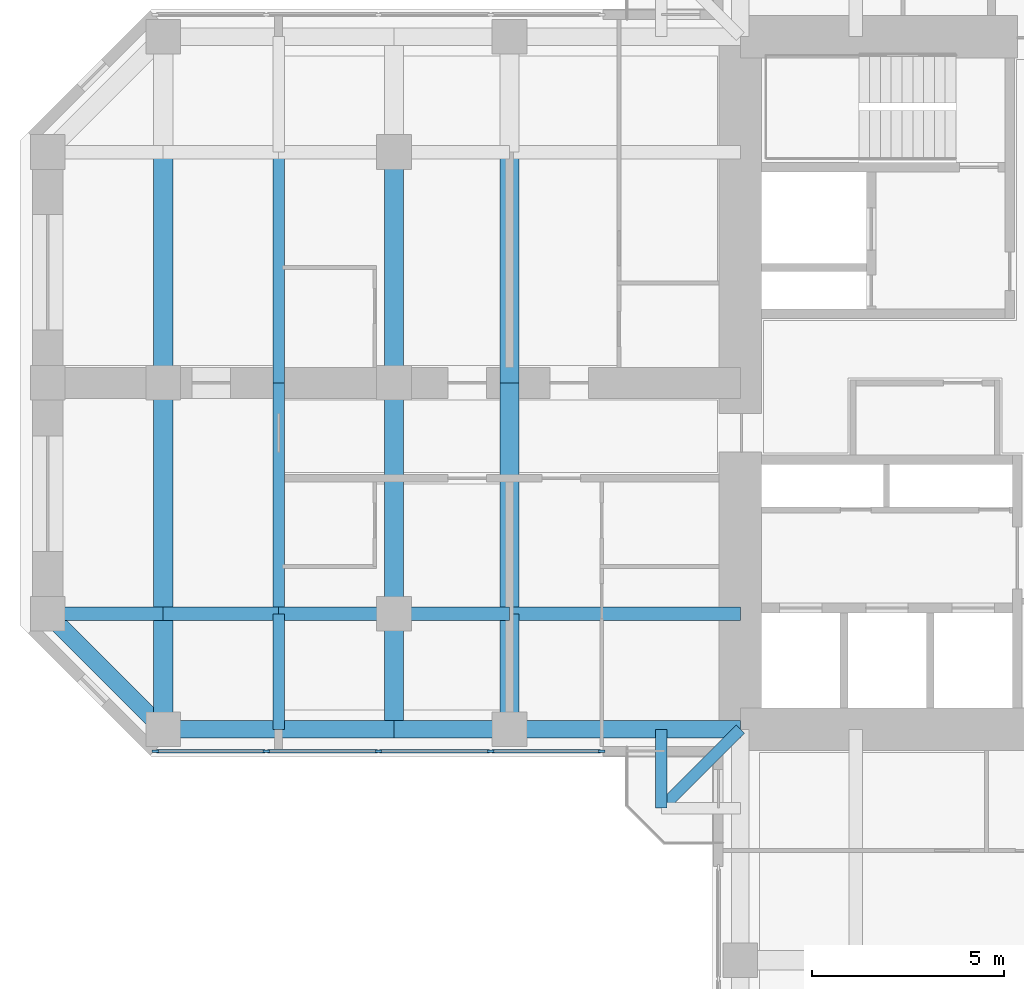
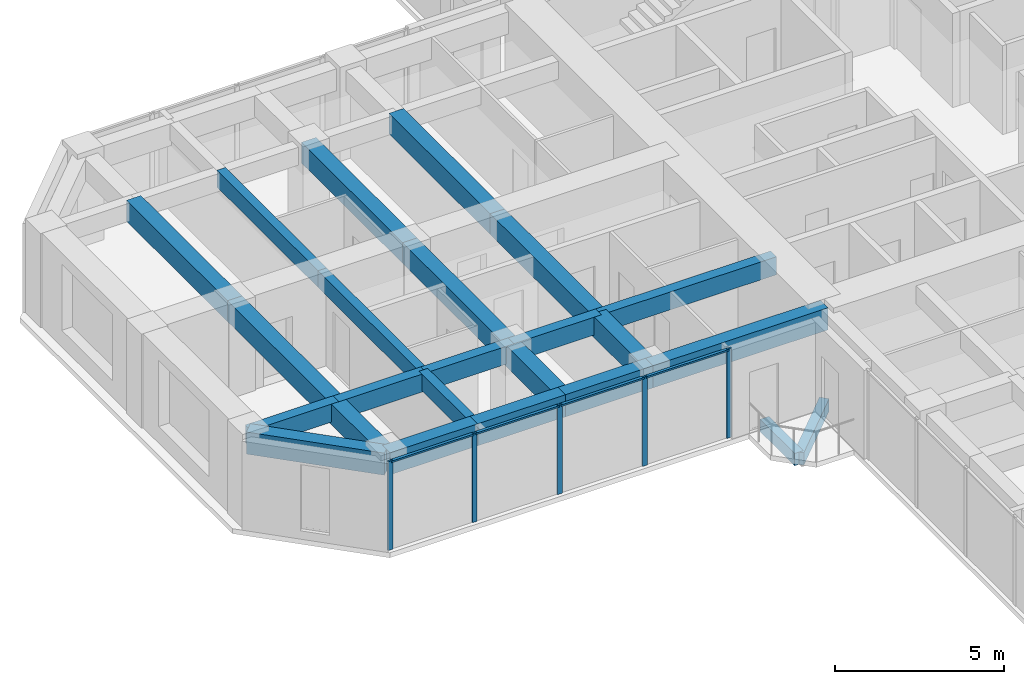
# One storey, part 3 of 14: 24 beams, 9 members, 1 element without a shape of its own.
"""IFC4 building model written with IfcOpenShell, lengths in metres."""

from ifc_helpers import new_model, si_unit, direction, frame, origin, origin_2d, place, context, subcontext, project, spatial, rectangle, extrude, material, material_profile, profile_set, type_object, element, aggregate, save


model = new_model("IFC4")

# Units and contexts
model_context = context("Model", 3, precision=1e-05, world=origin(), true_north=direction((0.0, 1.0)))
body_context = subcontext(model_context, "Body", "Model", "MODEL_VIEW")
ifc_project = project(units=[si_unit("LENGTHUNIT", "METRE"), si_unit("AREAUNIT", "SQUARE_METRE"), si_unit("VOLUMEUNIT", "CUBIC_METRE"), si_unit("PLANEANGLEUNIT", "RADIAN"), si_unit("MASSUNIT", "GRAM", prefix="KILO")], contexts=[model_context])

# Site, building, storey
site_placement = place(None, origin())
site = spatial("IfcSite", under=ifc_project, at=site_placement, CompositionType="ELEMENT")
building_placement = place(site_placement, origin())
building = spatial("IfcBuilding", under=site, at=building_placement, Name="Torre Cruceta", CompositionType="ELEMENT")
storey_placement = place(building_placement, frame((0.0, 0.0, 186.5)))
storey = spatial("IfcBuildingStorey", under=building, at=storey_placement, Name="L46", CompositionType="ELEMENT", Elevation=186.5)

# Beams
ifc_material_1 = material(Name="Concrete G60 (fck 60 MPa)", Category="concrete")
ifc_material_profile_1 = material_profile(ifc_material_1, rectangle(XDim=0.300048828125, YDim=0.449951171875, at=origin_2d()), Name="RC 300X450")
ifc_profile_set_1 = profile_set([ifc_material_profile_1], Name="Concrete G60 (fck 60 MPa)")
beam_type_1 = type_object("IfcBeamType", Name="BALCONY CANTILEVER BEAM RC 300X450", PredefinedType="BEAM", material=ifc_profile_set_1)
beam_1_placement = place(storey_placement, frame((-9.0, -9.0, -0.405029296875), z_axis=(-0.707106781187, -0.707106781187, 0.0), x_axis=(0.707106781187, -0.707106781187, 0.0)))
element("IfcBeam", 1, at=beam_1_placement, inside=storey, type_object=beam_type_1, Name="BB1 balcony beam L46 W", PredefinedType="BEAM", context=body_context, shape_type="SweptSolid", body=[
    extrude(rectangle(XDim=0.300048828125, YDim=0.449951171875, at=origin_2d()), origin(), (0.0, 0.0, 1.0), 2.89990234375),
])
beam_2_placement = place(storey_placement, frame((-11.050537109375, -9.0, -0.405029296875), z_axis=(0.0, -1.0, 0.0), x_axis=(1.0, 0.0, 0.0)))
element("IfcBeam", 2, at=beam_2_placement, inside=storey, type_object=beam_type_1, Name="BB1 balcony edge beam L46 W-X", PredefinedType="BEAM", context=body_context, shape_type="SweptSolid", body=[
    extrude(rectangle(XDim=0.300048828125, YDim=0.449951171875, at=origin_2d()), origin(), (0.0, 0.0, 1.0), 2.050537109375),
])
ifc_material_2 = material(Name="Concrete G60 (fck 60 MPa)", Category="concrete")
ifc_material_profile_2 = material_profile(ifc_material_2, rectangle(XDim=0.35009765625, YDim=0.64990234375, at=origin_2d()), Name="RC 350X650")
ifc_profile_set_2 = profile_set([ifc_material_profile_2], Name="Concrete G60 (fck 60 MPa)")
beam_type_2 = type_object("IfcBeamType", Name="COLUMN LINE BEAM RC 350X650", PredefinedType="BEAM", material=ifc_profile_set_2)
beam_3_placement = place(storey_placement, frame((-9.0, -6.0, 2.89501953125), z_axis=(-1.0, 0.0, 0.0), x_axis=(0.0, -1.0, 0.0)))
element("IfcBeam", 3, at=beam_3_placement, inside=storey, type_object=beam_type_2, Name="LB7 L46 W col+ 1", PredefinedType="BEAM", context=body_context, shape_type="SweptSolid", body=[
    extrude(rectangle(XDim=0.35009765625, YDim=0.64990234375, at=origin_2d()), origin(), (0.0, 0.0, 1.0), 6.0),
])
for number, where, z_axis, x_axis, name in (
    (4, (-15.0, -6.0, 2.89501953125), (-1.0, 0.0, 0.0), (0.0, -1.0, 0.0), "LB7 L46 W col+ 2"),
    (5, (-18.0, -6.0, 2.89501953125), (-1.0, 0.0, 0.0), (0.0, -1.0, 0.0), "LB7 L46 W col+ 3"),
    (6, (-21.0, -6.0, 2.89501953125), (-1.0, 0.0, 0.0), (0.0, -1.0, 0.0), "LB7 L46 W col+ 4"),
    (7, (-24.0, -6.0, 2.89501953125), (-1.0, 0.0, 0.0), (0.0, -1.0, 0.0), "LB7 L46 W col+ 5"),
):
    element("IfcBeam", number, at=place(storey_placement, frame(where, z_axis=z_axis, x_axis=x_axis)), inside=storey, type_object=beam_type_2, Name=name, PredefinedType="BEAM", context=body_context, shape_type="SweptSolid", body=[
        extrude(rectangle(XDim=0.35009765625, YDim=0.64990234375, at=origin_2d()), origin(), (0.0, 0.0, 1.0), 3.0),
    ])
ifc_material_3 = material(Name="Concrete G60 (fck 60 MPa)", Category="concrete")
ifc_material_profile_3 = material_profile(ifc_material_3, rectangle(XDim=0.5, YDim=0.75, at=origin_2d()), Name="RC 500X750")
ifc_profile_set_3 = profile_set([ifc_material_profile_3], Name="Concrete G60 (fck 60 MPa)")
beam_type_3 = type_object("IfcBeamType", Name="CROSS BEAM RC 500X750", PredefinedType="BEAM", material=ifc_profile_set_3)
for number, where, z_axis, x_axis, name in (
    (8, (-15.0, 6.0, 2.844970703125), (0.0, -1.0, 0.0), (1.0, 0.0, 0.0), "GB6 L46 W cross15 2"),
    (9, (-15.0, 0.0, 2.844970703125), (0.0, -1.0, 0.0), (1.0, 0.0, 0.0), "GB6 L46 W cross15 3"),
):
    element("IfcBeam", number, at=place(storey_placement, frame(where, z_axis=z_axis, x_axis=x_axis)), inside=storey, type_object=beam_type_3, Name=name, PredefinedType="BEAM", context=body_context, shape_type="SweptSolid", body=[
        extrude(rectangle(XDim=0.5, YDim=0.75, at=origin_2d()), origin(), (0.0, 0.0, 1.0), 6.0),
    ])
beam_4_placement = place(storey_placement, frame((-15.0, -6.0, 2.844970703125), z_axis=(0.0, -1.0, 0.0), x_axis=(1.0, 0.0, 0.0)))
element("IfcBeam", 10, at=beam_4_placement, inside=storey, type_object=beam_type_3, Name="GB6 L46 W cross15 4", PredefinedType="BEAM", context=body_context, shape_type="SweptSolid", body=[
    extrude(rectangle(XDim=0.5, YDim=0.75, at=origin_2d()), origin(), (0.0, 0.0, 1.0), 3.0),
])
for number, where, z_axis, x_axis, name in (
    (11, (-18.0, 6.0, 2.844970703125), (0.0, -1.0, 0.0), (1.0, 0.0, 0.0), "GB6 L46 W cross18 2"),
    (12, (-18.0, 0.0, 2.844970703125), (0.0, -1.0, 0.0), (1.0, 0.0, 0.0), "GB6 L46 W cross18 3"),
):
    element("IfcBeam", number, at=place(storey_placement, frame(where, z_axis=z_axis, x_axis=x_axis)), inside=storey, type_object=beam_type_3, Name=name, PredefinedType="BEAM", context=body_context, shape_type="SweptSolid", body=[
        extrude(rectangle(XDim=0.5, YDim=0.75, at=origin_2d()), origin(), (0.0, 0.0, 1.0), 6.0),
    ])
beam_5_placement = place(storey_placement, frame((-18.0, -6.0, 2.844970703125), z_axis=(0.0, -1.0, 0.0), x_axis=(1.0, 0.0, 0.0)))
element("IfcBeam", 13, at=beam_5_placement, inside=storey, type_object=beam_type_3, Name="GB6 L46 W cross18 4", PredefinedType="BEAM", context=body_context, shape_type="SweptSolid", body=[
    extrude(rectangle(XDim=0.5, YDim=0.75, at=origin_2d()), origin(), (0.0, 0.0, 1.0), 3.0),
])
for number, where, z_axis, x_axis, name in (
    (14, (-24.0, 6.0, 2.844970703125), (0.0, -1.0, 0.0), (1.0, 0.0, 0.0), "GB6 L46 W cross24 2"),
    (15, (-24.0, 0.0, 2.844970703125), (0.0, -1.0, 0.0), (1.0, 0.0, 0.0), "GB6 L46 W cross24 3"),
):
    element("IfcBeam", number, at=place(storey_placement, frame(where, z_axis=z_axis, x_axis=x_axis)), inside=storey, type_object=beam_type_3, Name=name, PredefinedType="BEAM", context=body_context, shape_type="SweptSolid", body=[
        extrude(rectangle(XDim=0.5, YDim=0.75, at=origin_2d()), origin(), (0.0, 0.0, 1.0), 6.0),
    ])
beam_6_placement = place(storey_placement, frame((-24.0, -6.0, 2.844970703125), z_axis=(0.0, -1.0, 0.0), x_axis=(1.0, 0.0, 0.0)))
element("IfcBeam", 16, at=beam_6_placement, inside=storey, type_object=beam_type_3, Name="GB6 L46 W cross24 4", PredefinedType="BEAM", context=body_context, shape_type="SweptSolid", body=[
    extrude(rectangle(XDim=0.5, YDim=0.75, at=origin_2d()), origin(), (0.0, 0.0, 1.0), 3.0),
])

# Curtain wall, members
ifc_material_4 = material(Name="Aluminium unitised curtain wall", Category="aluminium")
curtain_wall_type = type_object("IfcCurtainWallType", Name="CURTAIN WALL CW-C CO-LIVING", PredefinedType="USERDEFINED", material=ifc_material_4)
curtain_wall_placement = place(storey_placement, origin())
curtain_wall = element("IfcCurtainWall", 17, at=curtain_wall_placement, inside=storey, type_object=curtain_wall_type, Name="CW-C L46 W side 14", ObjectType="UNITISED", PredefinedType="USERDEFINED")
ifc_material_5 = material(Name="Aluminium mullion", Category="aluminium")
ifc_material_profile_4 = material_profile(ifc_material_5, rectangle(XDim=0.06005859375, YDim=0.159912109375, at=origin_2d()), Name="AL 60X160")
ifc_profile_set_4 = profile_set([ifc_material_profile_4], Name="Aluminium mullion")
member_type_1 = type_object("IfcMemberType", Name="CW-C MULLION 60X160", PredefinedType="MULLION", material=ifc_profile_set_4)
member_1_placement = place(storey_placement, frame((-24.2060546875, -9.570068359375, 0.0), z_axis=(0.0, 0.0, 1.0), x_axis=(0.0, 1.0, 0.0)))
member_1 = element("IfcMember", 18, at=member_1_placement, type_object=member_type_1, Name="CW-C mullion 1", PredefinedType="MULLION", context=body_context, shape_type="SweptSolid", body=[
    extrude(rectangle(XDim=0.06005859375, YDim=0.159912109375, at=origin_2d()), origin(), (0.0, 0.0, 1.0), 3.219970703125),
])
member_2_placement = place(storey_placement, frame((-21.319580078125, -9.570068359375, 0.0), z_axis=(0.0, 0.0, 1.0), x_axis=(0.0, 1.0, 0.0)))
member_2 = element("IfcMember", 19, at=member_2_placement, type_object=member_type_1, Name="CW-C mullion 2", PredefinedType="MULLION", context=body_context, shape_type="SweptSolid", body=[
    extrude(rectangle(XDim=0.06005859375, YDim=0.159912109375, at=origin_2d()), origin(), (0.0, 0.0, 1.0), 3.219970703125),
])
member_3_placement = place(storey_placement, frame((-18.403076171875, -9.570068359375, 0.0), z_axis=(0.0, 0.0, 1.0), x_axis=(0.0, 1.0, 0.0)))
member_3 = element("IfcMember", 20, at=member_3_placement, type_object=member_type_1, Name="CW-C mullion 3", PredefinedType="MULLION", context=body_context, shape_type="SweptSolid", body=[
    extrude(rectangle(XDim=0.06005859375, YDim=0.159912109375, at=origin_2d()), origin(), (0.0, 0.0, 1.0), 3.219970703125),
])
member_4_placement = place(storey_placement, frame((-15.486572265625, -9.570068359375, 0.0), z_axis=(0.0, 0.0, 1.0), x_axis=(0.0, 1.0, 0.0)))
member_4 = element("IfcMember", 21, at=member_4_placement, type_object=member_type_1, Name="CW-C mullion 4", PredefinedType="MULLION", context=body_context, shape_type="SweptSolid", body=[
    extrude(rectangle(XDim=0.06005859375, YDim=0.159912109375, at=origin_2d()), origin(), (0.0, 0.0, 1.0), 3.219970703125),
])
member_5_placement = place(storey_placement, frame((-12.60009765625, -9.570068359375, 0.0), z_axis=(0.0, 0.0, 1.0), x_axis=(0.0, 1.0, 0.0)))
member_5 = element("IfcMember", 22, at=member_5_placement, type_object=member_type_1, Name="CW-C mullion 5", PredefinedType="MULLION", context=body_context, shape_type="SweptSolid", body=[
    extrude(rectangle(XDim=0.06005859375, YDim=0.159912109375, at=origin_2d()), origin(), (0.0, 0.0, 1.0), 3.219970703125),
])
ifc_material_6 = material(Name="Aluminium transom", Category="aluminium")
ifc_material_profile_5 = material_profile(ifc_material_6, rectangle(XDim=0.10009765625, YDim=0.06005859375, at=origin_2d()), Name="AL 100X60")
ifc_profile_set_5 = profile_set([ifc_material_profile_5], Name="Aluminium transom")
member_type_2 = type_object("IfcMemberType", Name="CW-C TRANSOM 60X100", PredefinedType="USERDEFINED", material=ifc_profile_set_5)
member_6_placement = place(storey_placement, frame((-24.176025390625, -9.570068359375, 3.18994140625), z_axis=(1.0, 0.0, 0.0), x_axis=(0.0, 1.0, 0.0)))
member_6 = element("IfcMember", 23, at=member_6_placement, type_object=member_type_2, Name="CW-C transom 1", ObjectType="TRANSOM", PredefinedType="USERDEFINED", context=body_context, shape_type="SweptSolid", body=[
    extrude(rectangle(XDim=0.10009765625, YDim=0.06005859375, at=origin_2d()), origin(), (0.0, 0.0, 1.0), 2.826416015625),
])
member_7_placement = place(storey_placement, frame((-21.28955078125, -9.570068359375, 3.18994140625), z_axis=(1.0, 0.0, 0.0), x_axis=(0.0, 1.0, 0.0)))
member_7 = element("IfcMember", 24, at=member_7_placement, type_object=member_type_2, Name="CW-C transom 2", ObjectType="TRANSOM", PredefinedType="USERDEFINED", context=body_context, shape_type="SweptSolid", body=[
    extrude(rectangle(XDim=0.10009765625, YDim=0.06005859375, at=origin_2d()), origin(), (0.0, 0.0, 1.0), 2.8564453125),
])
member_8_placement = place(storey_placement, frame((-18.373046875, -9.570068359375, 3.18994140625), z_axis=(1.0, 0.0, 0.0), x_axis=(0.0, 1.0, 0.0)))
member_8 = element("IfcMember", 25, at=member_8_placement, type_object=member_type_2, Name="CW-C transom 3", ObjectType="TRANSOM", PredefinedType="USERDEFINED", context=body_context, shape_type="SweptSolid", body=[
    extrude(rectangle(XDim=0.10009765625, YDim=0.06005859375, at=origin_2d()), origin(), (0.0, 0.0, 1.0), 2.8564453125),
])
member_9_placement = place(storey_placement, frame((-15.45654296875, -9.570068359375, 3.18994140625), z_axis=(1.0, 0.0, 0.0), x_axis=(0.0, 1.0, 0.0)))
member_9 = element("IfcMember", 26, at=member_9_placement, type_object=member_type_2, Name="CW-C transom 4", ObjectType="TRANSOM", PredefinedType="USERDEFINED", context=body_context, shape_type="SweptSolid", body=[
    extrude(rectangle(XDim=0.10009765625, YDim=0.06005859375, at=origin_2d()), origin(), (0.0, 0.0, 1.0), 2.82666015625),
])
aggregate(curtain_wall, [member_1, member_2, member_3, member_4, member_5, member_6, member_7, member_8, member_9])

# Beams
ifc_material_7 = material(Name="Concrete G60 (fck 60 MPa)", Category="concrete")
ifc_material_profile_6 = material_profile(ifc_material_7, rectangle(XDim=0.300048828125, YDim=0.60009765625, at=origin_2d()), Name="RC 300X600")
ifc_profile_set_6 = profile_set([ifc_material_profile_6], Name="Concrete G60 (fck 60 MPa)")
beam_type_4 = type_object("IfcBeamType", Name="SECONDARY BEAM RC 300X600", PredefinedType="JOIST", material=ifc_profile_set_6)
for number, where, z_axis, x_axis, name in (
    (27, (-21.0, 6.0, 2.919921875), (0.0, -1.0, 0.0), (1.0, 0.0, 0.0), "JB6 L46 W sec21 2"),
    (28, (-21.0, 0.0, 2.919921875), (0.0, -1.0, 0.0), (1.0, 0.0, 0.0), "JB6 L46 W sec21 3"),
):
    element("IfcBeam", number, at=place(storey_placement, frame(where, z_axis=z_axis, x_axis=x_axis)), inside=storey, type_object=beam_type_4, Name=name, PredefinedType="JOIST", context=body_context, shape_type="SweptSolid", body=[
        extrude(rectangle(XDim=0.300048828125, YDim=0.60009765625, at=origin_2d()), origin(), (0.0, 0.0, 1.0), 6.0),
    ])
beam_7_placement = place(storey_placement, frame((-21.0, -6.0, 2.919921875), z_axis=(0.0, -1.0, 0.0), x_axis=(1.0, 0.0, 0.0)))
element("IfcBeam", 29, at=beam_7_placement, inside=storey, type_object=beam_type_4, Name="JB6 L46 W sec21 4", PredefinedType="JOIST", context=body_context, shape_type="SweptSolid", body=[
    extrude(rectangle(XDim=0.300048828125, YDim=0.60009765625, at=origin_2d()), origin(), (0.0, 0.0, 1.0), 3.0),
])
ifc_material_8 = material(Name="Concrete G60 (fck 60 MPa)", Category="concrete")
ifc_material_profile_7 = material_profile(ifc_material_8, rectangle(XDim=0.449951171875, YDim=0.800048828125, at=origin_2d()), Name="RC 450X800")
ifc_profile_set_7 = profile_set([ifc_material_profile_7], Name="Concrete G60 (fck 60 MPa)")
beam_type_5 = type_object("IfcBeamType", Name="SPANDREL BEAM RC 450X800", PredefinedType="SPANDREL", material=ifc_profile_set_7)
beam_8_placement = place(storey_placement, frame((-9.0, -9.0, 2.820068359375), z_axis=(-1.0, 0.0, 0.0), x_axis=(0.0, -1.0, 0.0)))
element("IfcBeam", 30, at=beam_8_placement, inside=storey, type_object=beam_type_5, Name="SB6 L46 W side+ 1", PredefinedType="SPANDREL", context=body_context, shape_type="SweptSolid", body=[
    extrude(rectangle(XDim=0.449951171875, YDim=0.800048828125, at=origin_2d()), origin(), (0.0, 0.0, 1.0), 6.0),
])
for number, where, z_axis, x_axis, name in (
    (31, (-15.0, -9.0, 2.820068359375), (-1.0, 0.0, 0.0), (0.0, -1.0, 0.0), "SB6 L46 W side+ 2"),
    (32, (-18.0, -9.0, 2.820068359375), (-1.0, 0.0, 0.0), (0.0, -1.0, 0.0), "SB6 L46 W side+ 3"),
    (33, (-21.0, -9.0, 2.820068359375), (-1.0, 0.0, 0.0), (0.0, -1.0, 0.0), "SB6 L46 W side+ 4"),
):
    element("IfcBeam", number, at=place(storey_placement, frame(where, z_axis=z_axis, x_axis=x_axis)), inside=storey, type_object=beam_type_5, Name=name, PredefinedType="SPANDREL", context=body_context, shape_type="SweptSolid", body=[
        extrude(rectangle(XDim=0.449951171875, YDim=0.800048828125, at=origin_2d()), origin(), (0.0, 0.0, 1.0), 3.0),
    ])
beam_9_placement = place(storey_placement, frame((-24.0, -9.0, 2.820068359375), z_axis=(-0.707106781187, 0.707106781187, 0.0), x_axis=(-0.707106781187, -0.707106781187, 0.0)))
element("IfcBeam", 34, at=beam_9_placement, inside=storey, type_object=beam_type_5, Name="SB6 L46 W side+ 5", PredefinedType="SPANDREL", context=body_context, shape_type="SweptSolid", body=[
    extrude(rectangle(XDim=0.449951171875, YDim=0.800048828125, at=origin_2d()), origin(), (0.0, 0.0, 1.0), 4.24267578125),
])

save(model, "model.ifc")
